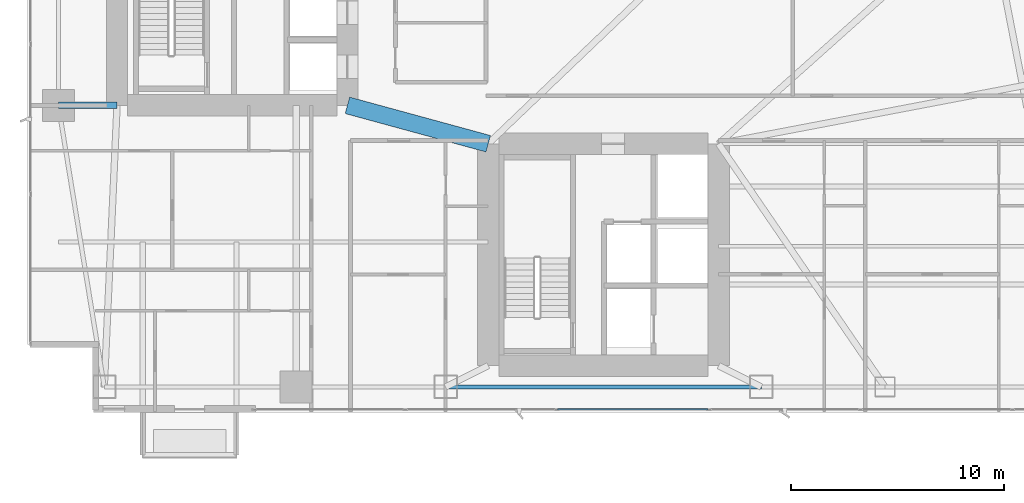
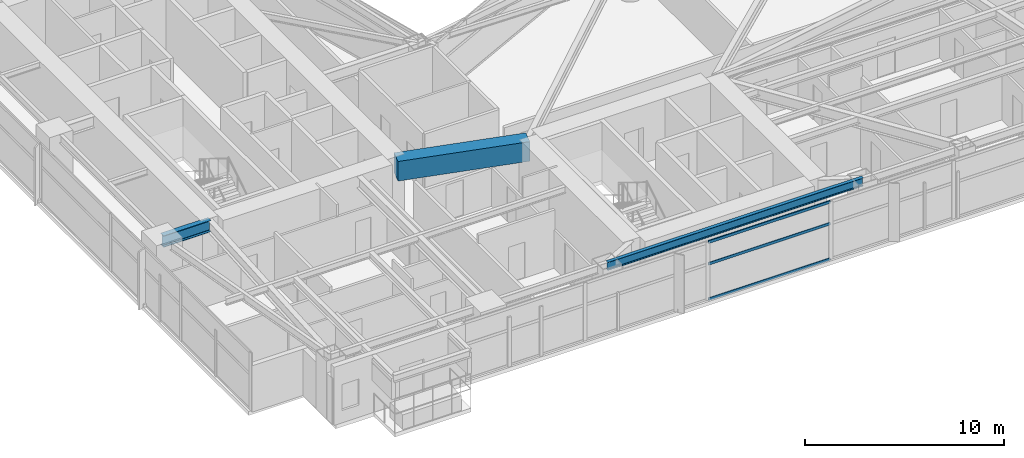
# One storey, part 7 of 30: 3 beams, 3 members, 1 element without a shape of its own.
"""IFC4 building model written with IfcOpenShell, lengths in metres."""

from ifc_helpers import new_model, si_unit, direction, frame, origin, origin_2d, place, context, subcontext, project, spatial, rectangle, hollow_rectangle, i_section, extrude, material, layer, layer_set, material_profile, profile_set, type_object, element, aggregate, save


model = new_model("IFC4")

# Units and contexts
model_context = context("Model", 3, precision=1e-05, world=origin(), true_north=direction((0.0, 1.0)))
body_context = subcontext(model_context, "Body", "Model", "MODEL_VIEW")
ifc_project = project(units=[si_unit("LENGTHUNIT", "METRE"), si_unit("AREAUNIT", "SQUARE_METRE"), si_unit("VOLUMEUNIT", "CUBIC_METRE"), si_unit("PLANEANGLEUNIT", "RADIAN"), si_unit("MASSUNIT", "GRAM", prefix="KILO")], contexts=[model_context])

# Site, building, storey
site_placement = place(None, origin())
site = spatial("IfcSite", under=ifc_project, at=site_placement, CompositionType="ELEMENT")
building_placement = place(site_placement, origin())
building = spatial("IfcBuilding", under=site, at=building_placement, Name="Calvorn Quay Hotel", CompositionType="ELEMENT")
storey_placement = place(building_placement, frame((0.0, 0.0, 27.0)))
storey = spatial("IfcBuildingStorey", under=building, at=storey_placement, Name="L05", CompositionType="ELEMENT", Elevation=27.0)

# Beams
ifc_material_1 = material(Name="Steel Q390GJC", Category="steel")
ifc_material_profile_1 = material_profile(ifc_material_1, i_section(OverallWidth=0.300048828125, OverallDepth=0.699951171875, WebThickness=0.012939453125, FlangeThickness=0.02392578125, FilletRadius=0.02392578125, at=origin_2d()), Name="HN700x300x13x24")
ifc_profile_set_1 = profile_set([ifc_material_profile_1], Name="Steel Q390GJC")
beam_type_1 = type_object("IfcBeamType", Name="BM-GIRD-MAIN", PredefinedType="BEAM", material=ifc_profile_set_1)
beam_1_placement = place(storey_placement, frame((1.449951171875, 16.800048828125, 3.18994140625), z_axis=(1.0, 0.0, 0.0), x_axis=(0.0, 1.0, 0.0)))
element("IfcBeam", 1, at=beam_1_placement, inside=storey, type_object=beam_type_1, Name="Beam BG-L05-W1", PredefinedType="BEAM", context=body_context, shape_type="SweptSolid", body=[
    extrude(i_section(OverallWidth=0.300048828125, OverallDepth=0.699951171875, WebThickness=0.012939453125, FlangeThickness=0.02392578125, FilletRadius=0.02392578125, at=origin_2d()), origin(), (0.0, 0.0, 1.0), 2.75),
])
ifc_material_2 = material(Name="Concrete C60", Category="concrete")
ifc_material_profile_2 = material_profile(ifc_material_2, rectangle(XDim=0.800048828125, YDim=1.199951171875, at=origin_2d()), Name="RCB800x1200")
ifc_profile_set_2 = profile_set([ifc_material_profile_2], Name="Concrete C60")
beam_type_2 = type_object("IfcBeamType", Name="BM-RC-LINK-800x1200", PredefinedType="BEAM", material=ifc_profile_set_2)
beam_2_placement = place(storey_placement, frame((15.0, 16.800048828125, 2.93994140625), z_axis=(0.964762997686, -0.263120425462, 0.0), x_axis=(0.263120425462, 0.964762997686, 0.0)))
element("IfcBeam", 2, at=beam_2_placement, inside=storey, type_object=beam_type_2, Name="Beam BCL-L05-01", PredefinedType="BEAM", context=body_context, shape_type="SweptSolid", body=[
    extrude(rectangle(XDim=0.800048828125, YDim=1.199951171875, at=origin_2d()), origin(), (0.0, 0.0, 1.0), 6.841064453125),
])
ifc_material_3 = material(Name="Steel Q355B", Category="steel")
ifc_material_profile_3 = material_profile(ifc_material_3, i_section(OverallWidth=0.199951171875, OverallDepth=0.5, WebThickness=0.010009765625, FlangeThickness=0.01611328125, FilletRadius=0.01611328125, at=origin_2d()), Name="HN500x200x10x16")
ifc_profile_set_3 = profile_set([ifc_material_profile_3], Name="Steel Q355B")
beam_type_3 = type_object("IfcBeamType", Name="BM-SPANDREL-Z1", PredefinedType="SPANDREL", material=ifc_profile_set_3)
beam_3_placement = place(storey_placement, frame((19.60009765625, 3.60009765625, 3.2900390625), z_axis=(1.0, 0.0, 0.0), x_axis=(0.0, 1.0, 0.0)))
element("IfcBeam", 3, at=beam_3_placement, inside=storey, type_object=beam_type_3, Name="Beam BSP-L05-S3", PredefinedType="SPANDREL", context=body_context, shape_type="SweptSolid", body=[
    extrude(i_section(OverallWidth=0.199951171875, OverallDepth=0.5, WebThickness=0.010009765625, FlangeThickness=0.01611328125, FilletRadius=0.01611328125, at=origin_2d()), origin(), (0.0, 0.0, 1.0), 14.7998046875),
])

# Curtain wall, members
ifc_material_4 = material(Name="Pale Anodised Aluminium and Low-E Glass", Category="aluminium")
ifc_layer = layer(ifc_material_4, 0.219970703125)
ifc_layer_set = layer_set([ifc_layer], Name="CW-SYS-Z1")
curtain_wall_type = type_object("IfcCurtainWallType", Name="CW-SYS-Z1", PredefinedType="NOTDEFINED", material=ifc_layer_set)
curtain_wall_placement = place(storey_placement, origin())
curtain_wall = element("IfcCurtainWall", 4, at=curtain_wall_placement, inside=storey, type_object=curtain_wall_type, Name="Tower South Waterfront Curtain Wall (L05)", PredefinedType="NOTDEFINED")
ifc_material_5 = material(Name="Pale Anodised Aluminium 6063-T6", Category="aluminium")
ifc_material_profile_4 = material_profile(ifc_material_5, hollow_rectangle(XDim=0.06494140625, YDim=0.1650390625, WallThickness=0.00341796875, at=origin_2d()), Name="ALU-T165x65x3.5")
ifc_profile_set_4 = profile_set([ifc_material_profile_4], Name="Pale Anodised Aluminium 6063-T6")
member_type = type_object("IfcMemberType", Name="CW-SYS-Z1-TRN", PredefinedType="USERDEFINED", material=ifc_profile_set_4)
member_1_placement = place(storey_placement, frame((24.858642578125, 2.550048828125, 0.030029296875), z_axis=(1.0, 0.0, 0.0), x_axis=(0.0, 1.0, 0.0)))
member_1 = element("IfcMember", 5, at=member_1_placement, type_object=member_type, Name="CW-L05-S transom 3.1", ObjectType="TRANSOM", PredefinedType="USERDEFINED", context=body_context, shape_type="SweptSolid", body=[
    extrude(hollow_rectangle(XDim=0.06494140625, YDim=0.1650390625, WallThickness=0.00341796875, at=origin_2d()), origin(), (0.0, 0.0, 1.0), 7.05419921875),
])
member_2_placement = place(storey_placement, frame((24.858642578125, 2.550048828125, 2.199951171875), z_axis=(1.0, 0.0, 0.0), x_axis=(0.0, 1.0, 0.0)))
member_2 = element("IfcMember", 6, at=member_2_placement, type_object=member_type, Name="CW-L05-S transom 3.2", ObjectType="TRANSOM", PredefinedType="USERDEFINED", context=body_context, shape_type="SweptSolid", body=[
    extrude(hollow_rectangle(XDim=0.06494140625, YDim=0.1650390625, WallThickness=0.00341796875, at=origin_2d()), origin(), (0.0, 0.0, 1.0), 7.05419921875),
])
member_3_placement = place(storey_placement, frame((24.858642578125, 2.550048828125, 3.530029296875), z_axis=(1.0, 0.0, 0.0), x_axis=(0.0, 1.0, 0.0)))
member_3 = element("IfcMember", 7, at=member_3_placement, type_object=member_type, Name="CW-L05-S transom 3.3", ObjectType="TRANSOM", PredefinedType="USERDEFINED", context=body_context, shape_type="SweptSolid", body=[
    extrude(hollow_rectangle(XDim=0.06494140625, YDim=0.1650390625, WallThickness=0.00341796875, at=origin_2d()), origin(), (0.0, 0.0, 1.0), 7.05419921875),
])
aggregate(curtain_wall, [member_1, member_2, member_3])

save(model, "model.ifc")
